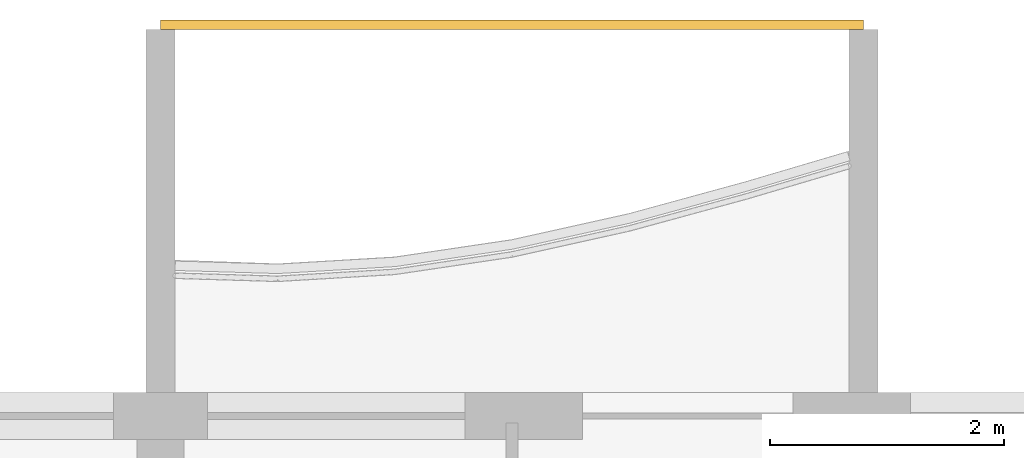
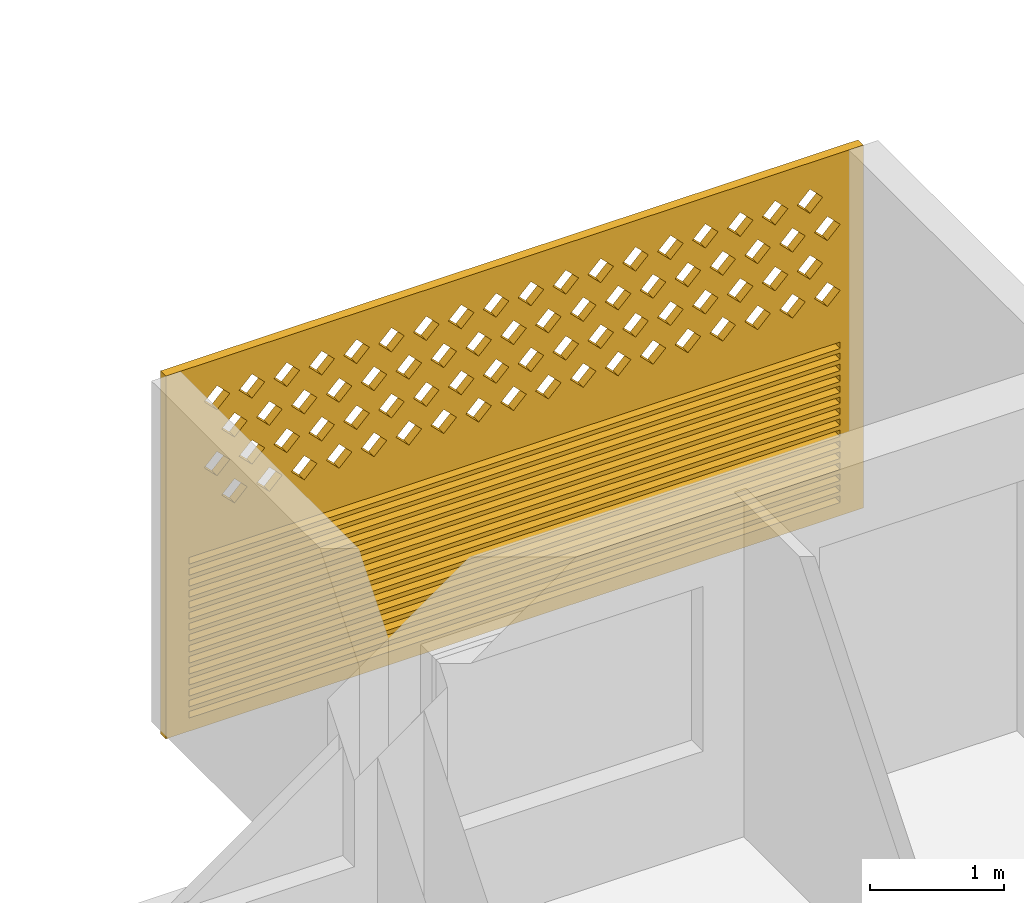
# One storey, part 25 of 38: 1 covering.
"""IFC4 building model written with IfcOpenShell, lengths in metres."""

from ifc_helpers import new_model, si_unit, direction, frame, origin, place, context, subcontext, project, spatial, polyline, outline, extrude, source, transform, mapped, material, material_profile, profile_set, type_object, element, save


model = new_model("IFC4")

# Units and contexts
model_context = context("Model", 3, precision=1e-05, world=origin(), true_north=direction((0.0, 1.0)))
body_context = subcontext(model_context, "Body", "Model", "MODEL_VIEW")
ifc_project = project(units=[si_unit("LENGTHUNIT", "METRE"), si_unit("AREAUNIT", "SQUARE_METRE"), si_unit("VOLUMEUNIT", "CUBIC_METRE"), si_unit("PLANEANGLEUNIT", "RADIAN"), si_unit("MASSUNIT", "GRAM", prefix="KILO")], contexts=[model_context])

# Site, building, storey
site_placement = place(None, origin())
site = spatial("IfcSite", under=ifc_project, at=site_placement, CompositionType="ELEMENT")
building_placement = place(site_placement, origin())
building = spatial("IfcBuilding", under=site, at=building_placement, Name="Poui Terraces", CompositionType="ELEMENT")
storey_placement = place(building_placement, frame((0.0, 0.0, 43.199951171875)))
storey = spatial("IfcBuildingStorey", under=building, at=storey_placement, Name="L11", CompositionType="ELEMENT", Elevation=43.199951171875)

# Covering
ifc_material = material(Name="Terracotta screen", Category="masonry")
ifc_material_profile = material_profile(ifc_material, outline(polyline([(-3.0, -1.64990234375), (3.0, -1.64990234375), (3.0, 1.64990234375), (-3.0, 1.64990234375), (-3.0, -1.64990234375)]), holes=[polyline([(-2.800048828125, 0.39990234375), (-2.68994140625, 0.2900390625), (-2.580078125, 0.39990234375), (-2.68994140625, 0.510009765625), (-2.800048828125, 0.39990234375)]), polyline([(-2.5, 0.39990234375), (-2.389892578125, 0.2900390625), (-2.280029296875, 0.39990234375), (-2.389892578125, 0.510009765625), (-2.5, 0.39990234375)]), polyline([(-2.199951171875, 0.39990234375), (-2.090087890625, 0.2900390625), (-1.97998046875, 0.39990234375), (-2.090087890625, 0.510009765625), (-2.199951171875, 0.39990234375)]), polyline([(-1.89990234375, 0.39990234375), (-1.7900390625, 0.2900390625), (-1.679931640625, 0.39990234375), (-1.7900390625, 0.510009765625), (-1.89990234375, 0.39990234375)]), polyline([(-1.60009765625, 0.39990234375), (-1.489990234375, 0.2900390625), (-1.3798828125, 0.39990234375), (-1.489990234375, 0.510009765625), (-1.60009765625, 0.39990234375)]), polyline([(-1.300048828125, 0.39990234375), (-1.18994140625, 0.2900390625), (-1.080078125, 0.39990234375), (-1.18994140625, 0.510009765625), (-1.300048828125, 0.39990234375)]), polyline([(-1.0, 0.39990234375), (-0.889892578125, 0.2900390625), (-0.780029296875, 0.39990234375), (-0.889892578125, 0.510009765625), (-1.0, 0.39990234375)]), polyline([(-0.699951171875, 0.39990234375), (-0.590087890625, 0.2900390625), (-0.47998046875, 0.39990234375), (-0.590087890625, 0.510009765625), (-0.699951171875, 0.39990234375)]), polyline([(-0.39990234375, 0.39990234375), (-0.2900390625, 0.2900390625), (-0.179931640625, 0.39990234375), (-0.2900390625, 0.510009765625), (-0.39990234375, 0.39990234375)]), polyline([(-0.10009765625, 0.39990234375), (0.010009765625, 0.2900390625), (0.1201171875, 0.39990234375), (0.010009765625, 0.510009765625), (-0.10009765625, 0.39990234375)]), polyline([(0.199951171875, 0.39990234375), (0.31005859375, 0.2900390625), (0.419921875, 0.39990234375), (0.31005859375, 0.510009765625), (0.199951171875, 0.39990234375)]), polyline([(0.5, 0.39990234375), (0.610107421875, 0.2900390625), (0.719970703125, 0.39990234375), (0.610107421875, 0.510009765625), (0.5, 0.39990234375)]), polyline([(0.800048828125, 0.39990234375), (0.909912109375, 0.2900390625), (1.02001953125, 0.39990234375), (0.909912109375, 0.510009765625), (0.800048828125, 0.39990234375)]), polyline([(1.10009765625, 0.39990234375), (1.2099609375, 0.2900390625), (1.320068359375, 0.39990234375), (1.2099609375, 0.510009765625), (1.10009765625, 0.39990234375)]), polyline([(1.39990234375, 0.39990234375), (1.510009765625, 0.2900390625), (1.6201171875, 0.39990234375), (1.510009765625, 0.510009765625), (1.39990234375, 0.39990234375)]), polyline([(1.699951171875, 0.39990234375), (1.81005859375, 0.2900390625), (1.919921875, 0.39990234375), (1.81005859375, 0.510009765625), (1.699951171875, 0.39990234375)]), polyline([(2.0, 0.39990234375), (2.110107421875, 0.2900390625), (2.219970703125, 0.39990234375), (2.110107421875, 0.510009765625), (2.0, 0.39990234375)]), polyline([(2.300048828125, 0.39990234375), (2.409912109375, 0.2900390625), (2.52001953125, 0.39990234375), (2.409912109375, 0.510009765625), (2.300048828125, 0.39990234375)]), polyline([(-2.64990234375, 0.699951171875), (-2.5400390625, 0.590087890625), (-2.429931640625, 0.699951171875), (-2.5400390625, 0.81005859375), (-2.64990234375, 0.699951171875)]), polyline([(-2.35009765625, 0.699951171875), (-2.239990234375, 0.590087890625), (-2.1298828125, 0.699951171875), (-2.239990234375, 0.81005859375), (-2.35009765625, 0.699951171875)]), polyline([(-2.050048828125, 0.699951171875), (-1.93994140625, 0.590087890625), (-1.830078125, 0.699951171875), (-1.93994140625, 0.81005859375), (-2.050048828125, 0.699951171875)]), polyline([(-1.75, 0.699951171875), (-1.639892578125, 0.590087890625), (-1.530029296875, 0.699951171875), (-1.639892578125, 0.81005859375), (-1.75, 0.699951171875)]), polyline([(-1.449951171875, 0.699951171875), (-1.340087890625, 0.590087890625), (-1.22998046875, 0.699951171875), (-1.340087890625, 0.81005859375), (-1.449951171875, 0.699951171875)]), polyline([(-1.14990234375, 0.699951171875), (-1.0400390625, 0.590087890625), (-0.929931640625, 0.699951171875), (-1.0400390625, 0.81005859375), (-1.14990234375, 0.699951171875)]), polyline([(-0.85009765625, 0.699951171875), (-0.739990234375, 0.590087890625), (-0.6298828125, 0.699951171875), (-0.739990234375, 0.81005859375), (-0.85009765625, 0.699951171875)]), polyline([(-0.550048828125, 0.699951171875), (-0.43994140625, 0.590087890625), (-0.330078125, 0.699951171875), (-0.43994140625, 0.81005859375), (-0.550048828125, 0.699951171875)]), polyline([(-0.25, 0.699951171875), (-0.139892578125, 0.590087890625), (-0.030029296875, 0.699951171875), (-0.139892578125, 0.81005859375), (-0.25, 0.699951171875)]), polyline([(0.050048828125, 0.699951171875), (0.159912109375, 0.590087890625), (0.27001953125, 0.699951171875), (0.159912109375, 0.81005859375), (0.050048828125, 0.699951171875)]), polyline([(0.35009765625, 0.699951171875), (0.4599609375, 0.590087890625), (0.570068359375, 0.699951171875), (0.4599609375, 0.81005859375), (0.35009765625, 0.699951171875)]), polyline([(0.64990234375, 0.699951171875), (0.760009765625, 0.590087890625), (0.8701171875, 0.699951171875), (0.760009765625, 0.81005859375), (0.64990234375, 0.699951171875)]), polyline([(0.949951171875, 0.699951171875), (1.06005859375, 0.590087890625), (1.169921875, 0.699951171875), (1.06005859375, 0.81005859375), (0.949951171875, 0.699951171875)]), polyline([(1.25, 0.699951171875), (1.360107421875, 0.590087890625), (1.469970703125, 0.699951171875), (1.360107421875, 0.81005859375), (1.25, 0.699951171875)]), polyline([(1.550048828125, 0.699951171875), (1.659912109375, 0.590087890625), (1.77001953125, 0.699951171875), (1.659912109375, 0.81005859375), (1.550048828125, 0.699951171875)]), polyline([(1.85009765625, 0.699951171875), (1.9599609375, 0.590087890625), (2.070068359375, 0.699951171875), (1.9599609375, 0.81005859375), (1.85009765625, 0.699951171875)]), polyline([(2.14990234375, 0.699951171875), (2.260009765625, 0.590087890625), (2.3701171875, 0.699951171875), (2.260009765625, 0.81005859375), (2.14990234375, 0.699951171875)]), polyline([(2.449951171875, 0.699951171875), (2.56005859375, 0.590087890625), (2.669921875, 0.699951171875), (2.56005859375, 0.81005859375), (2.449951171875, 0.699951171875)]), polyline([(-2.800048828125, 1.0), (-2.68994140625, 0.889892578125), (-2.580078125, 1.0), (-2.68994140625, 1.110107421875), (-2.800048828125, 1.0)]), polyline([(-2.5, 1.0), (-2.389892578125, 0.889892578125), (-2.280029296875, 1.0), (-2.389892578125, 1.110107421875), (-2.5, 1.0)]), polyline([(-2.199951171875, 1.0), (-2.090087890625, 0.889892578125), (-1.97998046875, 1.0), (-2.090087890625, 1.110107421875), (-2.199951171875, 1.0)]), polyline([(-1.89990234375, 1.0), (-1.7900390625, 0.889892578125), (-1.679931640625, 1.0), (-1.7900390625, 1.110107421875), (-1.89990234375, 1.0)]), polyline([(-1.60009765625, 1.0), (-1.489990234375, 0.889892578125), (-1.3798828125, 1.0), (-1.489990234375, 1.110107421875), (-1.60009765625, 1.0)]), polyline([(-1.300048828125, 1.0), (-1.18994140625, 0.889892578125), (-1.080078125, 1.0), (-1.18994140625, 1.110107421875), (-1.300048828125, 1.0)]), polyline([(-1.0, 1.0), (-0.889892578125, 0.889892578125), (-0.780029296875, 1.0), (-0.889892578125, 1.110107421875), (-1.0, 1.0)]), polyline([(-0.699951171875, 1.0), (-0.590087890625, 0.889892578125), (-0.47998046875, 1.0), (-0.590087890625, 1.110107421875), (-0.699951171875, 1.0)]), polyline([(-0.39990234375, 1.0), (-0.2900390625, 0.889892578125), (-0.179931640625, 1.0), (-0.2900390625, 1.110107421875), (-0.39990234375, 1.0)]), polyline([(-0.10009765625, 1.0), (0.010009765625, 0.889892578125), (0.1201171875, 1.0), (0.010009765625, 1.110107421875), (-0.10009765625, 1.0)]), polyline([(0.199951171875, 1.0), (0.31005859375, 0.889892578125), (0.419921875, 1.0), (0.31005859375, 1.110107421875), (0.199951171875, 1.0)]), polyline([(0.5, 1.0), (0.610107421875, 0.889892578125), (0.719970703125, 1.0), (0.610107421875, 1.110107421875), (0.5, 1.0)]), polyline([(0.800048828125, 1.0), (0.909912109375, 0.889892578125), (1.02001953125, 1.0), (0.909912109375, 1.110107421875), (0.800048828125, 1.0)]), polyline([(1.10009765625, 1.0), (1.2099609375, 0.889892578125), (1.320068359375, 1.0), (1.2099609375, 1.110107421875), (1.10009765625, 1.0)]), polyline([(1.39990234375, 1.0), (1.510009765625, 0.889892578125), (1.6201171875, 1.0), (1.510009765625, 1.110107421875), (1.39990234375, 1.0)]), polyline([(1.699951171875, 1.0), (1.81005859375, 0.889892578125), (1.919921875, 1.0), (1.81005859375, 1.110107421875), (1.699951171875, 1.0)]), polyline([(2.0, 1.0), (2.110107421875, 0.889892578125), (2.219970703125, 1.0), (2.110107421875, 1.110107421875), (2.0, 1.0)]), polyline([(2.300048828125, 1.0), (2.409912109375, 0.889892578125), (2.52001953125, 1.0), (2.409912109375, 1.110107421875), (2.300048828125, 1.0)]), polyline([(-2.64990234375, 1.300048828125), (-2.5400390625, 1.18994140625), (-2.429931640625, 1.300048828125), (-2.5400390625, 1.409912109375), (-2.64990234375, 1.300048828125)]), polyline([(-2.35009765625, 1.300048828125), (-2.239990234375, 1.18994140625), (-2.1298828125, 1.300048828125), (-2.239990234375, 1.409912109375), (-2.35009765625, 1.300048828125)]), polyline([(-2.050048828125, 1.300048828125), (-1.93994140625, 1.18994140625), (-1.830078125, 1.300048828125), (-1.93994140625, 1.409912109375), (-2.050048828125, 1.300048828125)]), polyline([(-1.75, 1.300048828125), (-1.639892578125, 1.18994140625), (-1.530029296875, 1.300048828125), (-1.639892578125, 1.409912109375), (-1.75, 1.300048828125)]), polyline([(-1.449951171875, 1.300048828125), (-1.340087890625, 1.18994140625), (-1.22998046875, 1.300048828125), (-1.340087890625, 1.409912109375), (-1.449951171875, 1.300048828125)]), polyline([(-1.14990234375, 1.300048828125), (-1.0400390625, 1.18994140625), (-0.929931640625, 1.300048828125), (-1.0400390625, 1.409912109375), (-1.14990234375, 1.300048828125)]), polyline([(-0.85009765625, 1.300048828125), (-0.739990234375, 1.18994140625), (-0.6298828125, 1.300048828125), (-0.739990234375, 1.409912109375), (-0.85009765625, 1.300048828125)]), polyline([(-0.550048828125, 1.300048828125), (-0.43994140625, 1.18994140625), (-0.330078125, 1.300048828125), (-0.43994140625, 1.409912109375), (-0.550048828125, 1.300048828125)]), polyline([(-0.25, 1.300048828125), (-0.139892578125, 1.18994140625), (-0.030029296875, 1.300048828125), (-0.139892578125, 1.409912109375), (-0.25, 1.300048828125)]), polyline([(0.050048828125, 1.300048828125), (0.159912109375, 1.18994140625), (0.27001953125, 1.300048828125), (0.159912109375, 1.409912109375), (0.050048828125, 1.300048828125)]), polyline([(0.35009765625, 1.300048828125), (0.4599609375, 1.18994140625), (0.570068359375, 1.300048828125), (0.4599609375, 1.409912109375), (0.35009765625, 1.300048828125)]), polyline([(0.64990234375, 1.300048828125), (0.760009765625, 1.18994140625), (0.8701171875, 1.300048828125), (0.760009765625, 1.409912109375), (0.64990234375, 1.300048828125)]), polyline([(0.949951171875, 1.300048828125), (1.06005859375, 1.18994140625), (1.169921875, 1.300048828125), (1.06005859375, 1.409912109375), (0.949951171875, 1.300048828125)]), polyline([(1.25, 1.300048828125), (1.360107421875, 1.18994140625), (1.469970703125, 1.300048828125), (1.360107421875, 1.409912109375), (1.25, 1.300048828125)]), polyline([(1.550048828125, 1.300048828125), (1.659912109375, 1.18994140625), (1.77001953125, 1.300048828125), (1.659912109375, 1.409912109375), (1.550048828125, 1.300048828125)]), polyline([(1.85009765625, 1.300048828125), (1.9599609375, 1.18994140625), (2.070068359375, 1.300048828125), (1.9599609375, 1.409912109375), (1.85009765625, 1.300048828125)]), polyline([(2.14990234375, 1.300048828125), (2.260009765625, 1.18994140625), (2.3701171875, 1.300048828125), (2.260009765625, 1.409912109375), (2.14990234375, 1.300048828125)]), polyline([(2.449951171875, 1.300048828125), (2.56005859375, 1.18994140625), (2.669921875, 1.300048828125), (2.56005859375, 1.409912109375), (2.449951171875, 1.300048828125)]), polyline([(-2.800048828125, -1.530029296875), (2.800048828125, -1.530029296875), (2.800048828125, -1.469970703125), (-2.800048828125, -1.469970703125), (-2.800048828125, -1.530029296875)]), polyline([(-2.800048828125, -1.429931640625), (2.800048828125, -1.429931640625), (2.800048828125, -1.3701171875), (-2.800048828125, -1.3701171875), (-2.800048828125, -1.429931640625)]), polyline([(-2.800048828125, -1.330078125), (2.800048828125, -1.330078125), (2.800048828125, -1.27001953125), (-2.800048828125, -1.27001953125), (-2.800048828125, -1.330078125)]), polyline([(-2.800048828125, -1.22998046875), (2.800048828125, -1.22998046875), (2.800048828125, -1.169921875), (-2.800048828125, -1.169921875), (-2.800048828125, -1.22998046875)]), polyline([(-2.800048828125, -1.1298828125), (2.800048828125, -1.1298828125), (2.800048828125, -1.070068359375), (-2.800048828125, -1.070068359375), (-2.800048828125, -1.1298828125)]), polyline([(-2.800048828125, -1.030029296875), (2.800048828125, -1.030029296875), (2.800048828125, -0.969970703125), (-2.800048828125, -0.969970703125), (-2.800048828125, -1.030029296875)]), polyline([(-2.800048828125, -0.929931640625), (2.800048828125, -0.929931640625), (2.800048828125, -0.8701171875), (-2.800048828125, -0.8701171875), (-2.800048828125, -0.929931640625)]), polyline([(-2.800048828125, -0.830078125), (2.800048828125, -0.830078125), (2.800048828125, -0.77001953125), (-2.800048828125, -0.77001953125), (-2.800048828125, -0.830078125)]), polyline([(-2.800048828125, -0.72998046875), (2.800048828125, -0.72998046875), (2.800048828125, -0.669921875), (-2.800048828125, -0.669921875), (-2.800048828125, -0.72998046875)]), polyline([(-2.800048828125, -0.6298828125), (2.800048828125, -0.6298828125), (2.800048828125, -0.570068359375), (-2.800048828125, -0.570068359375), (-2.800048828125, -0.6298828125)]), polyline([(-2.800048828125, -0.530029296875), (2.800048828125, -0.530029296875), (2.800048828125, -0.469970703125), (-2.800048828125, -0.469970703125), (-2.800048828125, -0.530029296875)]), polyline([(-2.800048828125, -0.429931640625), (2.800048828125, -0.429931640625), (2.800048828125, -0.3701171875), (-2.800048828125, -0.3701171875), (-2.800048828125, -0.429931640625)]), polyline([(-2.800048828125, -0.330078125), (2.800048828125, -0.330078125), (2.800048828125, -0.27001953125), (-2.800048828125, -0.27001953125), (-2.800048828125, -0.330078125)]), polyline([(-2.800048828125, -0.22998046875), (2.800048828125, -0.22998046875), (2.800048828125, -0.169921875), (-2.800048828125, -0.169921875), (-2.800048828125, -0.22998046875)]), polyline([(-2.800048828125, -0.1298828125), (2.800048828125, -0.1298828125), (2.800048828125, -0.070068359375), (-2.800048828125, -0.070068359375), (-2.800048828125, -0.1298828125)])]), Name="TERRACOTTA SCREEN AND JALOUSIE LOUVRE 6000X3300")
ifc_profile_set = profile_set([ifc_material_profile], Name="Terracotta screen")
covering_type = type_object("IfcCoveringType", Name="TERRACOTTA SCREEN AND JALOUSIE LOUVRE 6000X3300", PredefinedType="CLADDING", material=ifc_profile_set)
shared_shape = source(origin(), body_context, "Body", "SweptSolid", [
    extrude(outline(polyline([(-3.0, -1.64990234375), (3.0, -1.64990234375), (3.0, 1.64990234375), (-3.0, 1.64990234375), (-3.0, -1.64990234375)]), holes=[polyline([(-2.800048828125, 0.39990234375), (-2.68994140625, 0.2900390625), (-2.580078125, 0.39990234375), (-2.68994140625, 0.510009765625), (-2.800048828125, 0.39990234375)]), polyline([(-2.5, 0.39990234375), (-2.389892578125, 0.2900390625), (-2.280029296875, 0.39990234375), (-2.389892578125, 0.510009765625), (-2.5, 0.39990234375)]), polyline([(-2.199951171875, 0.39990234375), (-2.090087890625, 0.2900390625), (-1.97998046875, 0.39990234375), (-2.090087890625, 0.510009765625), (-2.199951171875, 0.39990234375)]), polyline([(-1.89990234375, 0.39990234375), (-1.7900390625, 0.2900390625), (-1.679931640625, 0.39990234375), (-1.7900390625, 0.510009765625), (-1.89990234375, 0.39990234375)]), polyline([(-1.60009765625, 0.39990234375), (-1.489990234375, 0.2900390625), (-1.3798828125, 0.39990234375), (-1.489990234375, 0.510009765625), (-1.60009765625, 0.39990234375)]), polyline([(-1.300048828125, 0.39990234375), (-1.18994140625, 0.2900390625), (-1.080078125, 0.39990234375), (-1.18994140625, 0.510009765625), (-1.300048828125, 0.39990234375)]), polyline([(-1.0, 0.39990234375), (-0.889892578125, 0.2900390625), (-0.780029296875, 0.39990234375), (-0.889892578125, 0.510009765625), (-1.0, 0.39990234375)]), polyline([(-0.699951171875, 0.39990234375), (-0.590087890625, 0.2900390625), (-0.47998046875, 0.39990234375), (-0.590087890625, 0.510009765625), (-0.699951171875, 0.39990234375)]), polyline([(-0.39990234375, 0.39990234375), (-0.2900390625, 0.2900390625), (-0.179931640625, 0.39990234375), (-0.2900390625, 0.510009765625), (-0.39990234375, 0.39990234375)]), polyline([(-0.10009765625, 0.39990234375), (0.010009765625, 0.2900390625), (0.1201171875, 0.39990234375), (0.010009765625, 0.510009765625), (-0.10009765625, 0.39990234375)]), polyline([(0.199951171875, 0.39990234375), (0.31005859375, 0.2900390625), (0.419921875, 0.39990234375), (0.31005859375, 0.510009765625), (0.199951171875, 0.39990234375)]), polyline([(0.5, 0.39990234375), (0.610107421875, 0.2900390625), (0.719970703125, 0.39990234375), (0.610107421875, 0.510009765625), (0.5, 0.39990234375)]), polyline([(0.800048828125, 0.39990234375), (0.909912109375, 0.2900390625), (1.02001953125, 0.39990234375), (0.909912109375, 0.510009765625), (0.800048828125, 0.39990234375)]), polyline([(1.10009765625, 0.39990234375), (1.2099609375, 0.2900390625), (1.320068359375, 0.39990234375), (1.2099609375, 0.510009765625), (1.10009765625, 0.39990234375)]), polyline([(1.39990234375, 0.39990234375), (1.510009765625, 0.2900390625), (1.6201171875, 0.39990234375), (1.510009765625, 0.510009765625), (1.39990234375, 0.39990234375)]), polyline([(1.699951171875, 0.39990234375), (1.81005859375, 0.2900390625), (1.919921875, 0.39990234375), (1.81005859375, 0.510009765625), (1.699951171875, 0.39990234375)]), polyline([(2.0, 0.39990234375), (2.110107421875, 0.2900390625), (2.219970703125, 0.39990234375), (2.110107421875, 0.510009765625), (2.0, 0.39990234375)]), polyline([(2.300048828125, 0.39990234375), (2.409912109375, 0.2900390625), (2.52001953125, 0.39990234375), (2.409912109375, 0.510009765625), (2.300048828125, 0.39990234375)]), polyline([(-2.64990234375, 0.699951171875), (-2.5400390625, 0.590087890625), (-2.429931640625, 0.699951171875), (-2.5400390625, 0.81005859375), (-2.64990234375, 0.699951171875)]), polyline([(-2.35009765625, 0.699951171875), (-2.239990234375, 0.590087890625), (-2.1298828125, 0.699951171875), (-2.239990234375, 0.81005859375), (-2.35009765625, 0.699951171875)]), polyline([(-2.050048828125, 0.699951171875), (-1.93994140625, 0.590087890625), (-1.830078125, 0.699951171875), (-1.93994140625, 0.81005859375), (-2.050048828125, 0.699951171875)]), polyline([(-1.75, 0.699951171875), (-1.639892578125, 0.590087890625), (-1.530029296875, 0.699951171875), (-1.639892578125, 0.81005859375), (-1.75, 0.699951171875)]), polyline([(-1.449951171875, 0.699951171875), (-1.340087890625, 0.590087890625), (-1.22998046875, 0.699951171875), (-1.340087890625, 0.81005859375), (-1.449951171875, 0.699951171875)]), polyline([(-1.14990234375, 0.699951171875), (-1.0400390625, 0.590087890625), (-0.929931640625, 0.699951171875), (-1.0400390625, 0.81005859375), (-1.14990234375, 0.699951171875)]), polyline([(-0.85009765625, 0.699951171875), (-0.739990234375, 0.590087890625), (-0.6298828125, 0.699951171875), (-0.739990234375, 0.81005859375), (-0.85009765625, 0.699951171875)]), polyline([(-0.550048828125, 0.699951171875), (-0.43994140625, 0.590087890625), (-0.330078125, 0.699951171875), (-0.43994140625, 0.81005859375), (-0.550048828125, 0.699951171875)]), polyline([(-0.25, 0.699951171875), (-0.139892578125, 0.590087890625), (-0.030029296875, 0.699951171875), (-0.139892578125, 0.81005859375), (-0.25, 0.699951171875)]), polyline([(0.050048828125, 0.699951171875), (0.159912109375, 0.590087890625), (0.27001953125, 0.699951171875), (0.159912109375, 0.81005859375), (0.050048828125, 0.699951171875)]), polyline([(0.35009765625, 0.699951171875), (0.4599609375, 0.590087890625), (0.570068359375, 0.699951171875), (0.4599609375, 0.81005859375), (0.35009765625, 0.699951171875)]), polyline([(0.64990234375, 0.699951171875), (0.760009765625, 0.590087890625), (0.8701171875, 0.699951171875), (0.760009765625, 0.81005859375), (0.64990234375, 0.699951171875)]), polyline([(0.949951171875, 0.699951171875), (1.06005859375, 0.590087890625), (1.169921875, 0.699951171875), (1.06005859375, 0.81005859375), (0.949951171875, 0.699951171875)]), polyline([(1.25, 0.699951171875), (1.360107421875, 0.590087890625), (1.469970703125, 0.699951171875), (1.360107421875, 0.81005859375), (1.25, 0.699951171875)]), polyline([(1.550048828125, 0.699951171875), (1.659912109375, 0.590087890625), (1.77001953125, 0.699951171875), (1.659912109375, 0.81005859375), (1.550048828125, 0.699951171875)]), polyline([(1.85009765625, 0.699951171875), (1.9599609375, 0.590087890625), (2.070068359375, 0.699951171875), (1.9599609375, 0.81005859375), (1.85009765625, 0.699951171875)]), polyline([(2.14990234375, 0.699951171875), (2.260009765625, 0.590087890625), (2.3701171875, 0.699951171875), (2.260009765625, 0.81005859375), (2.14990234375, 0.699951171875)]), polyline([(2.449951171875, 0.699951171875), (2.56005859375, 0.590087890625), (2.669921875, 0.699951171875), (2.56005859375, 0.81005859375), (2.449951171875, 0.699951171875)]), polyline([(-2.800048828125, 1.0), (-2.68994140625, 0.889892578125), (-2.580078125, 1.0), (-2.68994140625, 1.110107421875), (-2.800048828125, 1.0)]), polyline([(-2.5, 1.0), (-2.389892578125, 0.889892578125), (-2.280029296875, 1.0), (-2.389892578125, 1.110107421875), (-2.5, 1.0)]), polyline([(-2.199951171875, 1.0), (-2.090087890625, 0.889892578125), (-1.97998046875, 1.0), (-2.090087890625, 1.110107421875), (-2.199951171875, 1.0)]), polyline([(-1.89990234375, 1.0), (-1.7900390625, 0.889892578125), (-1.679931640625, 1.0), (-1.7900390625, 1.110107421875), (-1.89990234375, 1.0)]), polyline([(-1.60009765625, 1.0), (-1.489990234375, 0.889892578125), (-1.3798828125, 1.0), (-1.489990234375, 1.110107421875), (-1.60009765625, 1.0)]), polyline([(-1.300048828125, 1.0), (-1.18994140625, 0.889892578125), (-1.080078125, 1.0), (-1.18994140625, 1.110107421875), (-1.300048828125, 1.0)]), polyline([(-1.0, 1.0), (-0.889892578125, 0.889892578125), (-0.780029296875, 1.0), (-0.889892578125, 1.110107421875), (-1.0, 1.0)]), polyline([(-0.699951171875, 1.0), (-0.590087890625, 0.889892578125), (-0.47998046875, 1.0), (-0.590087890625, 1.110107421875), (-0.699951171875, 1.0)]), polyline([(-0.39990234375, 1.0), (-0.2900390625, 0.889892578125), (-0.179931640625, 1.0), (-0.2900390625, 1.110107421875), (-0.39990234375, 1.0)]), polyline([(-0.10009765625, 1.0), (0.010009765625, 0.889892578125), (0.1201171875, 1.0), (0.010009765625, 1.110107421875), (-0.10009765625, 1.0)]), polyline([(0.199951171875, 1.0), (0.31005859375, 0.889892578125), (0.419921875, 1.0), (0.31005859375, 1.110107421875), (0.199951171875, 1.0)]), polyline([(0.5, 1.0), (0.610107421875, 0.889892578125), (0.719970703125, 1.0), (0.610107421875, 1.110107421875), (0.5, 1.0)]), polyline([(0.800048828125, 1.0), (0.909912109375, 0.889892578125), (1.02001953125, 1.0), (0.909912109375, 1.110107421875), (0.800048828125, 1.0)]), polyline([(1.10009765625, 1.0), (1.2099609375, 0.889892578125), (1.320068359375, 1.0), (1.2099609375, 1.110107421875), (1.10009765625, 1.0)]), polyline([(1.39990234375, 1.0), (1.510009765625, 0.889892578125), (1.6201171875, 1.0), (1.510009765625, 1.110107421875), (1.39990234375, 1.0)]), polyline([(1.699951171875, 1.0), (1.81005859375, 0.889892578125), (1.919921875, 1.0), (1.81005859375, 1.110107421875), (1.699951171875, 1.0)]), polyline([(2.0, 1.0), (2.110107421875, 0.889892578125), (2.219970703125, 1.0), (2.110107421875, 1.110107421875), (2.0, 1.0)]), polyline([(2.300048828125, 1.0), (2.409912109375, 0.889892578125), (2.52001953125, 1.0), (2.409912109375, 1.110107421875), (2.300048828125, 1.0)]), polyline([(-2.64990234375, 1.300048828125), (-2.5400390625, 1.18994140625), (-2.429931640625, 1.300048828125), (-2.5400390625, 1.409912109375), (-2.64990234375, 1.300048828125)]), polyline([(-2.35009765625, 1.300048828125), (-2.239990234375, 1.18994140625), (-2.1298828125, 1.300048828125), (-2.239990234375, 1.409912109375), (-2.35009765625, 1.300048828125)]), polyline([(-2.050048828125, 1.300048828125), (-1.93994140625, 1.18994140625), (-1.830078125, 1.300048828125), (-1.93994140625, 1.409912109375), (-2.050048828125, 1.300048828125)]), polyline([(-1.75, 1.300048828125), (-1.639892578125, 1.18994140625), (-1.530029296875, 1.300048828125), (-1.639892578125, 1.409912109375), (-1.75, 1.300048828125)]), polyline([(-1.449951171875, 1.300048828125), (-1.340087890625, 1.18994140625), (-1.22998046875, 1.300048828125), (-1.340087890625, 1.409912109375), (-1.449951171875, 1.300048828125)]), polyline([(-1.14990234375, 1.300048828125), (-1.0400390625, 1.18994140625), (-0.929931640625, 1.300048828125), (-1.0400390625, 1.409912109375), (-1.14990234375, 1.300048828125)]), polyline([(-0.85009765625, 1.300048828125), (-0.739990234375, 1.18994140625), (-0.6298828125, 1.300048828125), (-0.739990234375, 1.409912109375), (-0.85009765625, 1.300048828125)]), polyline([(-0.550048828125, 1.300048828125), (-0.43994140625, 1.18994140625), (-0.330078125, 1.300048828125), (-0.43994140625, 1.409912109375), (-0.550048828125, 1.300048828125)]), polyline([(-0.25, 1.300048828125), (-0.139892578125, 1.18994140625), (-0.030029296875, 1.300048828125), (-0.139892578125, 1.409912109375), (-0.25, 1.300048828125)]), polyline([(0.050048828125, 1.300048828125), (0.159912109375, 1.18994140625), (0.27001953125, 1.300048828125), (0.159912109375, 1.409912109375), (0.050048828125, 1.300048828125)]), polyline([(0.35009765625, 1.300048828125), (0.4599609375, 1.18994140625), (0.570068359375, 1.300048828125), (0.4599609375, 1.409912109375), (0.35009765625, 1.300048828125)]), polyline([(0.64990234375, 1.300048828125), (0.760009765625, 1.18994140625), (0.8701171875, 1.300048828125), (0.760009765625, 1.409912109375), (0.64990234375, 1.300048828125)]), polyline([(0.949951171875, 1.300048828125), (1.06005859375, 1.18994140625), (1.169921875, 1.300048828125), (1.06005859375, 1.409912109375), (0.949951171875, 1.300048828125)]), polyline([(1.25, 1.300048828125), (1.360107421875, 1.18994140625), (1.469970703125, 1.300048828125), (1.360107421875, 1.409912109375), (1.25, 1.300048828125)]), polyline([(1.550048828125, 1.300048828125), (1.659912109375, 1.18994140625), (1.77001953125, 1.300048828125), (1.659912109375, 1.409912109375), (1.550048828125, 1.300048828125)]), polyline([(1.85009765625, 1.300048828125), (1.9599609375, 1.18994140625), (2.070068359375, 1.300048828125), (1.9599609375, 1.409912109375), (1.85009765625, 1.300048828125)]), polyline([(2.14990234375, 1.300048828125), (2.260009765625, 1.18994140625), (2.3701171875, 1.300048828125), (2.260009765625, 1.409912109375), (2.14990234375, 1.300048828125)]), polyline([(2.449951171875, 1.300048828125), (2.56005859375, 1.18994140625), (2.669921875, 1.300048828125), (2.56005859375, 1.409912109375), (2.449951171875, 1.300048828125)]), polyline([(-2.800048828125, -1.530029296875), (2.800048828125, -1.530029296875), (2.800048828125, -1.469970703125), (-2.800048828125, -1.469970703125), (-2.800048828125, -1.530029296875)]), polyline([(-2.800048828125, -1.429931640625), (2.800048828125, -1.429931640625), (2.800048828125, -1.3701171875), (-2.800048828125, -1.3701171875), (-2.800048828125, -1.429931640625)]), polyline([(-2.800048828125, -1.330078125), (2.800048828125, -1.330078125), (2.800048828125, -1.27001953125), (-2.800048828125, -1.27001953125), (-2.800048828125, -1.330078125)]), polyline([(-2.800048828125, -1.22998046875), (2.800048828125, -1.22998046875), (2.800048828125, -1.169921875), (-2.800048828125, -1.169921875), (-2.800048828125, -1.22998046875)]), polyline([(-2.800048828125, -1.1298828125), (2.800048828125, -1.1298828125), (2.800048828125, -1.070068359375), (-2.800048828125, -1.070068359375), (-2.800048828125, -1.1298828125)]), polyline([(-2.800048828125, -1.030029296875), (2.800048828125, -1.030029296875), (2.800048828125, -0.969970703125), (-2.800048828125, -0.969970703125), (-2.800048828125, -1.030029296875)]), polyline([(-2.800048828125, -0.929931640625), (2.800048828125, -0.929931640625), (2.800048828125, -0.8701171875), (-2.800048828125, -0.8701171875), (-2.800048828125, -0.929931640625)]), polyline([(-2.800048828125, -0.830078125), (2.800048828125, -0.830078125), (2.800048828125, -0.77001953125), (-2.800048828125, -0.77001953125), (-2.800048828125, -0.830078125)]), polyline([(-2.800048828125, -0.72998046875), (2.800048828125, -0.72998046875), (2.800048828125, -0.669921875), (-2.800048828125, -0.669921875), (-2.800048828125, -0.72998046875)]), polyline([(-2.800048828125, -0.6298828125), (2.800048828125, -0.6298828125), (2.800048828125, -0.570068359375), (-2.800048828125, -0.570068359375), (-2.800048828125, -0.6298828125)]), polyline([(-2.800048828125, -0.530029296875), (2.800048828125, -0.530029296875), (2.800048828125, -0.469970703125), (-2.800048828125, -0.469970703125), (-2.800048828125, -0.530029296875)]), polyline([(-2.800048828125, -0.429931640625), (2.800048828125, -0.429931640625), (2.800048828125, -0.3701171875), (-2.800048828125, -0.3701171875), (-2.800048828125, -0.429931640625)]), polyline([(-2.800048828125, -0.330078125), (2.800048828125, -0.330078125), (2.800048828125, -0.27001953125), (-2.800048828125, -0.27001953125), (-2.800048828125, -0.330078125)]), polyline([(-2.800048828125, -0.22998046875), (2.800048828125, -0.22998046875), (2.800048828125, -0.169921875), (-2.800048828125, -0.169921875), (-2.800048828125, -0.22998046875)]), polyline([(-2.800048828125, -0.1298828125), (2.800048828125, -0.1298828125), (2.800048828125, -0.070068359375), (-2.800048828125, -0.070068359375), (-2.800048828125, -0.1298828125)])]), origin(), (0.0, 0.0, 1.0), 0.079833984375),
])
covering_placement = place(storey_placement, frame((33.0, 48.10009765625, 1.449951171875), z_axis=(0.0, 1.0, 0.0), x_axis=(-1.0, 0.0, 0.0)))
element("IfcCovering", 1, at=covering_placement, inside=storey, type_object=covering_type, Name="SOLAR SCREEN AND JALOUSIE LOUVRE", PredefinedType="CLADDING", context=body_context, shape_type="MappedRepresentation", body=[
    mapped(shared_shape, transform((0.0, 0.0, 0.0))),
])

save(model, "model.ifc")
